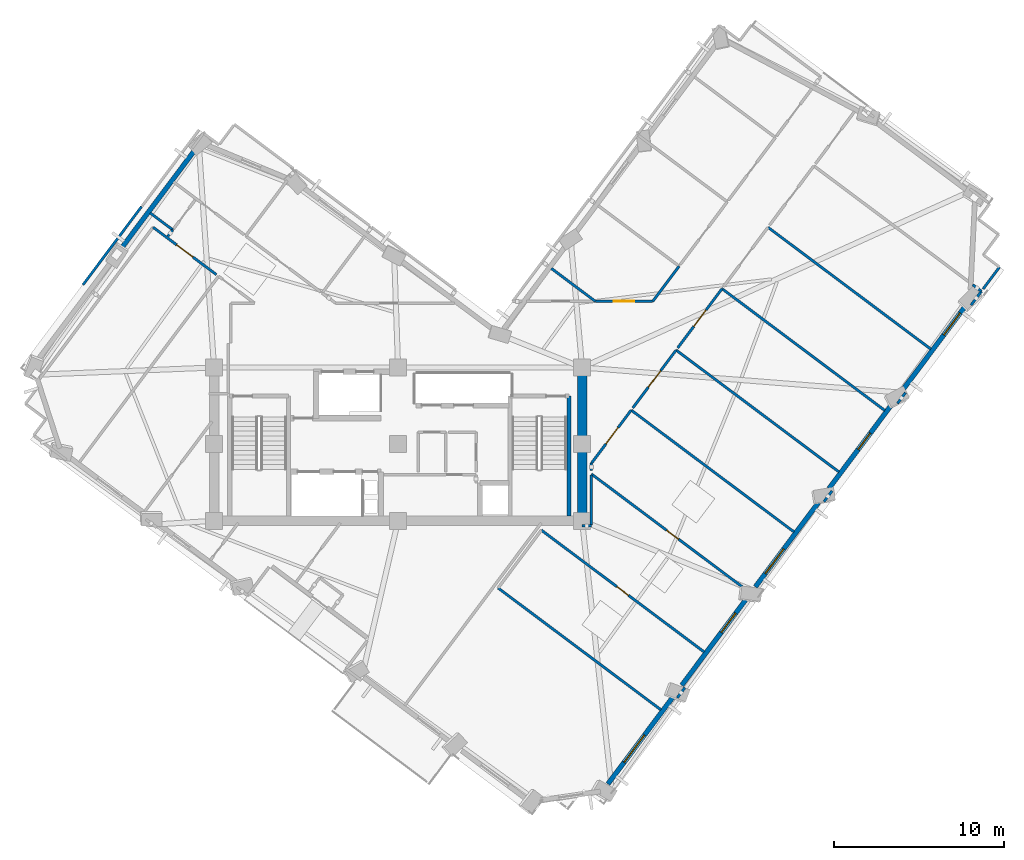
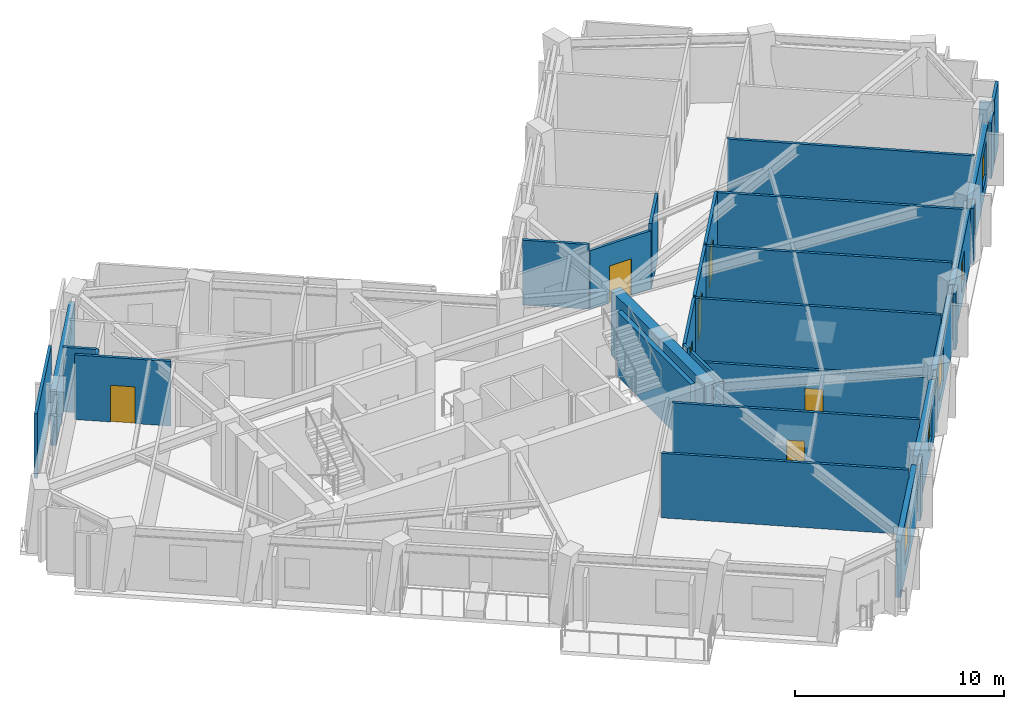
# One storey, part 5 of 12: 34 walls, 7 doors, 5 windows, 12 openings.
"""IFC4 building model written with IfcOpenShell, lengths in metres."""

from ifc_helpers import new_model, si_unit, direction, frame, frame_2d, origin, place, context, subcontext, project, spatial, rectangle, extrude, material, layer, layer_set, type_object, element, fill, save


model = new_model("IFC4")

# Units and contexts
model_context = context("Model", 3, precision=1e-05, world=origin(), true_north=direction((0.0, 1.0)))
body_context = subcontext(model_context, "Body", "Model", "MODEL_VIEW")
ifc_project = project(units=[si_unit("LENGTHUNIT", "METRE"), si_unit("AREAUNIT", "SQUARE_METRE"), si_unit("VOLUMEUNIT", "CUBIC_METRE"), si_unit("PLANEANGLEUNIT", "RADIAN"), si_unit("MASSUNIT", "GRAM", prefix="KILO")], contexts=[model_context])

# Site, building, storey
site_placement = place(None, origin())
site = spatial("IfcSite", under=ifc_project, at=site_placement, CompositionType="ELEMENT")
building_placement = place(site_placement, origin())
building = spatial("IfcBuilding", under=site, at=building_placement, Name="Gaonmaruhae Medical Tower", CompositionType="ELEMENT")
storey_placement = place(building_placement, frame((0.0, 0.0, 251.199951171875)))
storey = spatial("IfcBuildingStorey", under=building, at=storey_placement, Name="L60", CompositionType="ELEMENT", Elevation=251.199951171875)

# Wall
ifc_material_1 = material(Name="Concrete C50/60", Category="concrete")
ifc_layer_1 = layer(ifc_material_1, 0.550048828125)
ifc_layer_set_1 = layer_set([ifc_layer_1], Name="Concrete C50/60")
wall_type_1 = type_object("IfcWallType", Name="CW-550 Mid-High Core Shear Wall", PredefinedType="SHEAR", material=ifc_layer_set_1)
wall_1_placement = place(storey_placement, frame((35.60009765625, 7.800048828125, 0.0), z_axis=(0.0, 0.0, 1.0), x_axis=(0.0, 1.0, 0.0)))
element("IfcWall", 1, at=wall_1_placement, inside=storey, type_object=wall_type_1, Name="L60 Core Shear Wall CSW-E1", PredefinedType="SHEAR", context=body_context, shape_type="SweptSolid", body=[
    extrude(rectangle(XDim=9.0, YDim=0.550048828125, at=frame_2d((4.5, 0.0))), origin(), (0.0, 0.0, 1.0), 3.780029296875),
])

# Wall, opening, window
ifc_material_2 = material(Name="Precast concrete C45/55", Category="concrete")
ifc_layer_2 = layer(ifc_material_2, 0.280029296875)
ifc_layer_set_2 = layer_set([ifc_layer_2], Name="Precast concrete C45/55")
wall_type_2 = type_object("IfcWallType", Name="EW-280 Upper Precast Masonry-Frame Facade Wall", PredefinedType="SOLIDWALL", material=ifc_layer_set_2)
wall_2_placement = place(storey_placement, frame((41.001708984375, -2.44970703125, 0.0), z_axis=(0.0, 0.0, 1.0), x_axis=(-0.599017687672, -0.800735792791, 0.0)))
wall_2 = element("IfcWall", 2, at=wall_2_placement, inside=storey, type_object=wall_type_2, Name="L60 Precast Masonry-Frame Wall S01-S02", PredefinedType="SOLIDWALL", context=body_context, shape_type="SweptSolid", body=[
    extrude(rectangle(XDim=6.48486328125, YDim=0.280029296875, at=frame_2d((3.242431640625, 0.0))), origin(), (0.0, 0.0, 1.0), 3.26513671875),
])
opening_1_placement = place(wall_2_placement, frame((2.9013671875, 0.0, 0.75)))
opening_1 = element("IfcOpeningElement", 3, at=opening_1_placement, cuts=wall_2, Name="Opening WN-02", PredefinedType="OPENING", context=body_context, shape_type="SweptSolid", body=[
    extrude(rectangle(XDim=2.0, YDim=1.949951171875, at=frame_2d((1.0, 0.97509765625))), frame((0.0, 0.14990234375, 0.0), z_axis=(0.0, -1.0, 0.0), x_axis=(1.0, 0.0, 0.0)), (0.0, 0.0, 1.0), 0.300048828125),
])
ifc_material_3 = material(Name="Anodised aluminium and Low-E double glazing", Category="aluminium")
window_type_1 = type_object("IfcWindowType", Name="WN-02 Double-Bed Ward Punched Window 2000x1950", PartitioningType="SINGLE_PANEL", PredefinedType="WINDOW", material=ifc_material_3)
window_1_placement = place(opening_1_placement, origin())
window_1 = element("IfcWindow", 4, at=window_1_placement, inside=storey, type_object=window_type_1, Name="L60 Modular Facade Window S01", OverallHeight=1.949951171875, OverallWidth=2.0, PartitioningType="SINGLE_PANEL", PredefinedType="WINDOW", context=body_context, shape_type="SweptSolid", body=[
    extrude(rectangle(XDim=2.0, YDim=1.949951171875, at=frame_2d((1.0, 0.97509765625))), frame((0.0, 0.030029296875, 0.0), z_axis=(0.0, -1.0, 0.0), x_axis=(1.0, 0.0, 0.0)), (0.0, 0.0, 1.0), 0.06005859375),
])
fill(opening_1, window_1)

wall_3_placement = place(storey_placement, frame((45.3037109375, 3.301025390625, 0.0), z_axis=(0.0, 0.0, 1.0), x_axis=(-0.599010607172, -0.800741089551, 0.0)))
wall_3 = element("IfcWall", 5, at=wall_3_placement, inside=storey, type_object=wall_type_2, Name="L60 Precast Masonry-Frame Wall S02-S03", PredefinedType="SOLIDWALL", context=body_context, shape_type="SweptSolid", body=[
    extrude(rectangle(XDim=6.4384765625, YDim=0.280029296875, at=frame_2d((3.21923828125, 0.0))), origin(), (0.0, 0.0, 1.0), 3.26513671875),
])
opening_2_placement = place(wall_3_placement, frame((1.15771484375, 0.0, 0.75)))
opening_2 = element("IfcOpeningElement", 6, at=opening_2_placement, cuts=wall_3, Name="Opening WN-03", PredefinedType="OPENING", context=body_context, shape_type="SweptSolid", body=[
    extrude(rectangle(XDim=1.39990234375, YDim=1.85009765625, at=frame_2d((0.699951171875, 0.925048828125))), frame((0.0, 0.14990234375, 0.0), z_axis=(0.0, -1.0, 0.0), x_axis=(1.0, 0.0, 0.0)), (0.0, 0.0, 1.0), 0.300048828125),
])
window_type_2 = type_object("IfcWindowType", Name="WN-03 Isolation Ward Punched Window 1400x1850", PartitioningType="SINGLE_PANEL", PredefinedType="WINDOW", material=ifc_material_3)
window_2_placement = place(opening_2_placement, origin())
window_2 = element("IfcWindow", 7, at=window_2_placement, inside=storey, type_object=window_type_2, Name="L60 Modular Facade Window S02", OverallHeight=1.85009765625, OverallWidth=1.39990234375, PartitioningType="SINGLE_PANEL", PredefinedType="WINDOW", context=body_context, shape_type="SweptSolid", body=[
    extrude(rectangle(XDim=1.39990234375, YDim=1.85009765625, at=frame_2d((0.699951171875, 0.925048828125))), frame((0.0, 0.030029296875, 0.0), z_axis=(0.0, -1.0, 0.0), x_axis=(1.0, 0.0, 0.0)), (0.0, 0.0, 1.0), 0.06005859375),
])
fill(opening_2, window_2)

wall_4_placement = place(storey_placement, frame((49.61181640625, 9.059814453125, 0.0), z_axis=(0.0, 0.0, 1.0), x_axis=(-0.599018948846, -0.800734849325, 0.0)))
wall_4 = element("IfcWall", 8, at=wall_4_placement, inside=storey, type_object=wall_type_2, Name="L60 Precast Masonry-Frame Wall S03-S04", PredefinedType="SOLIDWALL", context=body_context, shape_type="SweptSolid", body=[
    extrude(rectangle(XDim=6.41357421875, YDim=0.280029296875, at=frame_2d((3.206787109375, 0.0))), origin(), (0.0, 0.0, 1.0), 3.26513671875),
])
opening_3_placement = place(wall_4_placement, frame((3.645751953125, 0.0, 0.75)))
opening_3 = element("IfcOpeningElement", 9, at=opening_3_placement, cuts=wall_4, Name="Opening WN-04", PredefinedType="OPENING", context=body_context, shape_type="SweptSolid", body=[
    extrude(rectangle(XDim=1.800048828125, YDim=2.050048828125, at=frame_2d((0.89990234375, 1.02490234375))), frame((0.0, 0.14990234375, 0.0), z_axis=(0.0, -1.0, 0.0), x_axis=(1.0, 0.0, 0.0)), (0.0, 0.0, 1.0), 0.300048828125),
])
window_type_3 = type_object("IfcWindowType", Name="WN-04 Clinic & Consult Punched Window 1800x2050", PartitioningType="SINGLE_PANEL", PredefinedType="WINDOW", material=ifc_material_3)
window_3_placement = place(opening_3_placement, origin())
window_3 = element("IfcWindow", 10, at=window_3_placement, inside=storey, type_object=window_type_3, Name="L60 Modular Facade Window S03", OverallHeight=2.050048828125, OverallWidth=1.800048828125, PartitioningType="SINGLE_PANEL", PredefinedType="WINDOW", context=body_context, shape_type="SweptSolid", body=[
    extrude(rectangle(XDim=1.800048828125, YDim=2.050048828125, at=frame_2d((0.89990234375, 1.02490234375))), frame((0.0, 0.030029296875, 0.0), z_axis=(0.0, -1.0, 0.0), x_axis=(1.0, 0.0, 0.0)), (0.0, 0.0, 1.0), 0.06005859375),
])
fill(opening_3, window_3)

wall_5_placement = place(storey_placement, frame((53.92529296875, 14.825439453125, 0.0), z_axis=(0.0, 0.0, 1.0), x_axis=(-0.599030136661, -0.800726479749, 0.0)))
wall_5 = element("IfcWall", 11, at=wall_5_placement, inside=storey, type_object=wall_type_2, Name="L60 Precast Masonry-Frame Wall S04-S05", PredefinedType="SOLIDWALL", context=body_context, shape_type="SweptSolid", body=[
    extrude(rectangle(XDim=6.40673828125, YDim=0.280029296875, at=frame_2d((3.203369140625, 0.0))), origin(), (0.0, 0.0, 1.0), 3.26513671875),
])
opening_4_placement = place(wall_5_placement, frame((2.343505859375, 0.0, 0.75)))
opening_4 = element("IfcOpeningElement", 12, at=opening_4_placement, cuts=wall_5, Name="Opening WN-05", PredefinedType="OPENING", context=body_context, shape_type="SweptSolid", body=[
    extrude(rectangle(XDim=1.199951171875, YDim=1.75, at=frame_2d((0.60009765625, 0.875))), frame((0.0, 0.14990234375, 0.0), z_axis=(0.0, -1.0, 0.0), x_axis=(1.0, 0.0, 0.0)), (0.0, 0.0, 1.0), 0.300048828125),
])
window_type_4 = type_object("IfcWindowType", Name="WN-05 Support & Staff Punched Window 1200x1750", PartitioningType="SINGLE_PANEL", PredefinedType="WINDOW", material=ifc_material_3)
window_4_placement = place(opening_4_placement, origin())
window_4 = element("IfcWindow", 13, at=window_4_placement, inside=storey, type_object=window_type_4, Name="L60 Modular Facade Window S04", OverallHeight=1.75, OverallWidth=1.199951171875, PartitioningType="SINGLE_PANEL", PredefinedType="WINDOW", context=body_context, shape_type="SweptSolid", body=[
    extrude(rectangle(XDim=1.199951171875, YDim=1.75, at=frame_2d((0.60009765625, 0.875))), frame((0.0, 0.030029296875, 0.0), z_axis=(0.0, -1.0, 0.0), x_axis=(1.0, 0.0, 0.0)), (0.0, 0.0, 1.0), 0.06005859375),
])
fill(opening_4, window_4)

wall_6_placement = place(storey_placement, frame((58.244140625, 20.5986328125, 0.0), z_axis=(0.0, 0.0, 1.0), x_axis=(-0.599019695529, -0.800734290741, 0.0)))
wall_6 = element("IfcWall", 14, at=wall_6_placement, inside=storey, type_object=wall_type_2, Name="L60 Precast Masonry-Frame Wall S05-S06", PredefinedType="SOLIDWALL", context=body_context, shape_type="SweptSolid", body=[
    extrude(rectangle(XDim=6.41845703125, YDim=0.280029296875, at=frame_2d((3.209228515625, 0.0))), origin(), (0.0, 0.0, 1.0), 3.26513671875),
])
opening_5_placement = place(wall_6_placement, frame((0.760009765625, 0.0, 0.75)))
opening_5 = element("IfcOpeningElement", 15, at=opening_5_placement, cuts=wall_6, Name="Opening WN-01", PredefinedType="OPENING", context=body_context, shape_type="SweptSolid", body=[
    extrude(rectangle(XDim=1.60009765625, YDim=1.949951171875, at=frame_2d((0.800048828125, 0.97509765625))), frame((0.0, 0.14990234375, 0.0), z_axis=(0.0, -1.0, 0.0), x_axis=(1.0, 0.0, 0.0)), (0.0, 0.0, 1.0), 0.300048828125),
])
window_type_5 = type_object("IfcWindowType", Name="WN-01 Ward Punched Acoustic Window 1600x1950", PartitioningType="SINGLE_PANEL", PredefinedType="WINDOW", material=ifc_material_3)
window_5_placement = place(opening_5_placement, origin())
window_5 = element("IfcWindow", 16, at=window_5_placement, inside=storey, type_object=window_type_5, Name="L60 Modular Facade Window S05", OverallHeight=1.949951171875, OverallWidth=1.60009765625, PartitioningType="SINGLE_PANEL", PredefinedType="WINDOW", context=body_context, shape_type="SweptSolid", body=[
    extrude(rectangle(XDim=1.60009765625, YDim=1.949951171875, at=frame_2d((0.800048828125, 0.97509765625))), frame((0.0, 0.030029296875, 0.0), z_axis=(0.0, -1.0, 0.0), x_axis=(1.0, 0.0, 0.0)), (0.0, 0.0, 1.0), 0.06005859375),
])
fill(opening_5, window_5)

# Wall
wall_7_placement = place(storey_placement, frame((8.41943359375, 23.610107421875, 0.0), z_axis=(0.0, 0.0, 1.0), x_axis=(0.599043256436, 0.800716664569, 0.0)))
element("IfcWall", 17, at=wall_7_placement, inside=storey, type_object=wall_type_2, Name="L60 Precast Masonry-Frame Wall N01-N02", PredefinedType="SOLIDWALL", context=body_context, shape_type="SweptSolid", body=[
    extrude(rectangle(XDim=7.43408203125, YDim=0.280029296875, at=frame_2d((3.717041015625, 0.0))), origin(), (0.0, 0.0, 1.0), 3.26513671875),
])

# Wall, opening, door
ifc_material_4 = material(Name="Gypsum board partition", Category="gypsum")
ifc_layer_3 = layer(ifc_material_4, 0.14990234375)
ifc_layer_set_3 = layer_set([ifc_layer_3], Name="Gypsum board partition")
wall_type_3 = type_object("IfcWallType", Name="PW-150 Rated Clinical Corridor Partition", PredefinedType="PARTITIONING", material=ifc_layer_set_3)
wall_8_placement = place(storey_placement, frame((33.2099609375, 7.251953125, 0.0), z_axis=(0.0, 0.0, 1.0), x_axis=(0.800721064426, -0.599037375282, 0.0)))
wall_8 = element("IfcWall", 18, at=wall_8_placement, inside=storey, type_object=wall_type_3, Name="L60 Interior Partition L60-SUP03-9", PredefinedType="PARTITIONING", context=body_context, shape_type="SweptSolid", body=[
    extrude(rectangle(XDim=11.935546875, YDim=0.14990234375, at=frame_2d((5.9677734375, 0.0))), origin(), (0.0, 0.0, 1.0), 3.780029296875),
])
opening_6_placement = place(wall_8_placement, frame((5.537841796875, 0.0, 0.0)))
opening_6 = element("IfcOpeningElement", 19, at=opening_6_placement, cuts=wall_8, Name="Opening AD-01", PredefinedType="OPENING", context=body_context, shape_type="SweptSolid", body=[
    extrude(rectangle(XDim=0.860107421875, YDim=2.06005859375, at=frame_2d((0.43017578125, 1.030029296875))), frame((0.0, 0.0849609375, 0.0), z_axis=(0.0, -1.0, 0.0), x_axis=(1.0, 0.0, 0.0)), (0.0, 0.0, 1.0), 0.169921875),
])
ifc_material_5 = material(Name="Powder-coated steel access door", Category="steel")
door_type_1 = type_object("IfcDoorType", Name="AD-01 Riser & Closet Access Fire Door 860x2060", OperationType="NOTDEFINED", PredefinedType="DOOR", material=ifc_material_5)
door_1_placement = place(opening_6_placement, origin())
door_1 = element("IfcDoor", 20, at=door_1_placement, inside=storey, type_object=door_type_1, Name="L60 Clinical Biomedical Charting Office Sliding Door", OperationType="SLIDING_TO_LEFT", OverallHeight=2.06005859375, OverallWidth=0.860107421875, PredefinedType="DOOR", context=body_context, shape_type="SweptSolid", body=[
    extrude(rectangle(XDim=0.860107421875, YDim=2.06005859375, at=frame_2d((0.43017578125, 1.030029296875))), frame((0.0, 0.02490234375, 0.0), z_axis=(0.0, -1.0, 0.0), x_axis=(1.0, 0.0, 0.0)), (0.0, 0.0, 1.0), 0.050048828125),
])
fill(opening_6, door_1)

# Walls
wall_9_placement = place(storey_placement, frame((41.631103515625, -1.991943359375, 0.0), z_axis=(0.0, 0.0, 1.0), x_axis=(-0.598370716563, -0.801219374179, 0.0)))
element("IfcWall", 21, at=wall_9_placement, inside=storey, type_object=wall_type_3, Name="L60 Interior Partition L60-SUP03-10", PredefinedType="PARTITIONING", context=body_context, shape_type="SweptSolid", body=[
    extrude(rectangle(XDim=0.743896484375, YDim=0.14990234375, at=frame_2d((0.3720703125, 0.0))), origin(), (0.0, 0.0, 1.0), 3.26513671875),
])
wall_10_placement = place(storey_placement, frame((40.22705078125, -3.29296875, 0.0), z_axis=(0.0, 0.0, 1.0), x_axis=(-0.800730950492, 0.599024160551, 0.0)))
element("IfcWall", 22, at=wall_10_placement, inside=storey, type_object=wall_type_3, Name="L60 Interior Partition L60-SUP03-11", PredefinedType="PARTITIONING", context=body_context, shape_type="SweptSolid", body=[
    extrude(rectangle(XDim=11.934326171875, YDim=0.14990234375, at=frame_2d((5.96728515625, 0.0))), origin(), (0.0, 0.0, 1.0), 3.780029296875),
])

# Wall, opening, door
wall_11_placement = place(storey_placement, frame((36.14990234375, 10.547119140625, 0.0), z_axis=(0.0, 0.0, 1.0), x_axis=(0.800750249999, -0.598998361539, 0.0)))
wall_11 = element("IfcWall", 23, at=wall_11_placement, inside=storey, type_object=wall_type_3, Name="L60 Interior Partition L60-SUP04-12", PredefinedType="PARTITIONING", context=body_context, shape_type="SweptSolid", body=[
    extrude(rectangle(XDim=11.900146484375, YDim=0.14990234375, at=frame_2d((5.9501953125, 0.0))), origin(), (0.0, 0.0, 1.0), 3.1650390625),
])
opening_7_placement = place(wall_11_placement, frame((5.52001953125, 0.0, 0.0)))
opening_7 = element("IfcOpeningElement", 24, at=opening_7_placement, cuts=wall_11, Name="Opening AD-01", PredefinedType="OPENING", context=body_context, shape_type="SweptSolid", body=[
    extrude(rectangle(XDim=0.860107421875, YDim=2.06005859375, at=frame_2d((0.43017578125, 1.030029296875))), frame((0.0, 0.0849609375, 0.0), z_axis=(0.0, -1.0, 0.0), x_axis=(1.0, 0.0, 0.0)), (0.0, 0.0, 1.0), 0.169921875),
])
door_2_placement = place(opening_7_placement, origin())
door_2 = element("IfcDoor", 25, at=door_2_placement, inside=storey, type_object=door_type_1, Name="L60 Clinical Biomedical Charting Office Sliding Door", OperationType="SLIDING_TO_LEFT", OverallHeight=2.06005859375, OverallWidth=0.860107421875, PredefinedType="DOOR", context=body_context, shape_type="SweptSolid", body=[
    extrude(rectangle(XDim=0.860107421875, YDim=2.06005859375, at=frame_2d((0.43017578125, 1.030029296875))), frame((0.0, 0.02490234375, 0.0), z_axis=(0.0, -1.0, 0.0), x_axis=(1.0, 0.0, 0.0)), (0.0, 0.0, 1.0), 0.050048828125),
])
fill(opening_7, door_2)

# Walls
wall_12_placement = place(storey_placement, frame((35.60009765625, 7.5, 0.0), z_axis=(0.0, 0.0, 1.0), x_axis=(1.0, 0.0, 0.0)))
element("IfcWall", 26, at=wall_12_placement, inside=storey, type_object=wall_type_3, Name="L60 Interior Partition L60-SUP04-13", PredefinedType="PARTITIONING", context=body_context, shape_type="SweptSolid", body=[
    extrude(rectangle(XDim=0.5498046875, YDim=0.14990234375, at=frame_2d((0.27490234375, 0.0))), origin(), (0.0, 0.0, 1.0), 3.780029296875),
])
wall_13_placement = place(storey_placement, frame((36.14990234375, 7.550048828125, 0.0), z_axis=(0.0, 0.0, 1.0), x_axis=(0.0, 1.0, 0.0)))
element("IfcWall", 27, at=wall_13_placement, inside=storey, type_object=wall_type_3, Name="L60 Interior Partition L60-SUP04-14", PredefinedType="PARTITIONING", context=body_context, shape_type="SweptSolid", body=[
    extrude(rectangle(XDim=2.93505859375, YDim=0.14990234375, at=frame_2d((1.467529296875, 0.0))), origin(), (0.0, 0.0, 1.0), 3.780029296875),
])
wall_14_placement = place(storey_placement, frame((38.48193359375, 14.298095703125, 0.0), z_axis=(0.0, 0.0, 1.0), x_axis=(0.800750498609, -0.598998029193, 0.0)))
element("IfcWall", 28, at=wall_14_placement, inside=storey, type_object=wall_type_3, Name="L60 Interior Partition L60-SUP05-15", PredefinedType="PARTITIONING", context=body_context, shape_type="SweptSolid", body=[
    extrude(rectangle(XDim=11.935302734375, YDim=0.14990234375, at=frame_2d((5.9677734375, 0.0))), origin(), (0.0, 0.0, 1.0), 3.780029296875),
])
wall_15_placement = place(storey_placement, frame((36.14990234375, 10.7470703125, 0.0), z_axis=(0.0, 0.0, 1.0), x_axis=(0.0, 1.0, 0.0)))
element("IfcWall", 29, at=wall_15_placement, inside=storey, type_object=wall_type_3, Name="L60 Interior Partition L60-SUP05-16", PredefinedType="PARTITIONING", context=body_context, shape_type="SweptSolid", body=[
    extrude(rectangle(XDim=0.433837890625, YDim=0.14990234375, at=frame_2d((0.216796875, 0.0))), origin(), (0.0, 0.0, 1.0), 3.780029296875),
])

# Wall, opening, door
wall_16_placement = place(storey_placement, frame((36.14990234375, 11.180908203125, 0.0), z_axis=(0.0, 0.0, 1.0), x_axis=(0.599036290611, 0.800721875892, 0.0)))
wall_16 = element("IfcWall", 30, at=wall_16_placement, inside=storey, type_object=wall_type_3, Name="L60 Interior Partition L60-SUP05-17", PredefinedType="PARTITIONING", context=body_context, shape_type="SweptSolid", body=[
    extrude(rectangle(XDim=3.89306640625, YDim=0.14990234375, at=frame_2d((1.946533203125, 0.0))), origin(), (0.0, 0.0, 1.0), 3.780029296875),
])
opening_8_placement = place(wall_16_placement, frame((1.410400390625, 0.0, 0.0)))
opening_8 = element("IfcOpeningElement", 31, at=opening_8_placement, cuts=wall_16, Name="Opening CD-02", PredefinedType="OPENING", context=body_context, shape_type="SweptSolid", body=[
    extrude(rectangle(XDim=1.199951171875, YDim=2.14990234375, at=frame_2d((0.60009765625, 1.074951171875))), frame((0.0, 0.0849609375, 0.0), z_axis=(0.0, -1.0, 0.0), x_axis=(1.0, 0.0, 0.0)), (0.0, 0.0, 1.0), 0.169921875),
])
ifc_material_6 = material(Name="Antimicrobial laminate timber fire door", Category="wood")
door_type_2 = type_object("IfcDoorType", Name="CD-02 Clinical Treatment & Procedure Door 1200x2150", OperationType="NOTDEFINED", PredefinedType="DOOR", material=ifc_material_6)
door_3_placement = place(opening_8_placement, origin())
door_3 = element("IfcDoor", 32, at=door_3_placement, inside=storey, type_object=door_type_2, Name="L60 Clinical Biomedical Charting Office Door", OperationType="SINGLE_SWING_RIGHT", OverallHeight=2.14990234375, OverallWidth=1.199951171875, PredefinedType="DOOR", context=body_context, shape_type="SweptSolid", body=[
    extrude(rectangle(XDim=1.199951171875, YDim=2.14990234375, at=frame_2d((0.60009765625, 1.074951171875))), frame((0.0, 0.02490234375, 0.0), z_axis=(0.0, -1.0, 0.0), x_axis=(1.0, 0.0, 0.0)), (0.0, 0.0, 1.0), 0.050048828125),
])
fill(opening_8, door_3)

wall_17_placement = place(storey_placement, frame((38.577880859375, 14.426025390625, 0.0), z_axis=(0.0, 0.0, 1.0), x_axis=(0.599059884296, 0.800704224435, 0.0)))
wall_17 = element("IfcWall", 33, at=wall_17_placement, inside=storey, type_object=wall_type_3, Name="L60 Interior Partition L60-SUP06-18", PredefinedType="PARTITIONING", context=body_context, shape_type="SweptSolid", body=[
    extrude(rectangle(XDim=4.239990234375, YDim=0.14990234375, at=frame_2d((2.1201171875, 0.0))), origin(), (0.0, 0.0, 1.0), 3.780029296875),
])
opening_9_placement = place(wall_17_placement, frame((1.52001953125, 0.0, 0.0)))
opening_9 = element("IfcOpeningElement", 34, at=opening_9_placement, cuts=wall_17, Name="Opening CD-02", PredefinedType="OPENING", context=body_context, shape_type="SweptSolid", body=[
    extrude(rectangle(XDim=1.199951171875, YDim=2.14990234375, at=frame_2d((0.60009765625, 1.074951171875))), frame((0.0, 0.0849609375, 0.0), z_axis=(0.0, -1.0, 0.0), x_axis=(1.0, 0.0, 0.0)), (0.0, 0.0, 1.0), 0.169921875),
])
door_4_placement = place(opening_9_placement, origin())
door_4 = element("IfcDoor", 35, at=door_4_placement, inside=storey, type_object=door_type_2, Name="L60 Clinical Biomedical Charting Office Door", OperationType="SINGLE_SWING_RIGHT", OverallHeight=2.14990234375, OverallWidth=1.199951171875, PredefinedType="DOOR", context=body_context, shape_type="SweptSolid", body=[
    extrude(rectangle(XDim=1.199951171875, YDim=2.14990234375, at=frame_2d((0.60009765625, 1.074951171875))), frame((0.0, 0.02490234375, 0.0), z_axis=(0.0, -1.0, 0.0), x_axis=(1.0, 0.0, 0.0)), (0.0, 0.0, 1.0), 0.050048828125),
])
fill(opening_9, door_4)

# Walls
wall_18_placement = place(storey_placement, frame((41.117919921875, 17.821044921875, 0.0), z_axis=(0.0, 0.0, 1.0), x_axis=(0.800730950492, -0.599024160551, 0.0)))
element("IfcWall", 36, at=wall_18_placement, inside=storey, type_object=wall_type_3, Name="L60 Interior Partition L60-SUP06-19", PredefinedType="PARTITIONING", context=body_context, shape_type="SweptSolid", body=[
    extrude(rectangle(XDim=11.934326171875, YDim=0.14990234375, at=frame_2d((5.96728515625, 0.0))), origin(), (0.0, 0.0, 1.0), 3.780029296875),
])
wall_19_placement = place(storey_placement, frame((50.27197265625, 9.556884765625, 0.0), z_axis=(0.0, 0.0, 1.0), x_axis=(-0.6, -0.8, 0.0)))
element("IfcWall", 37, at=wall_19_placement, inside=storey, type_object=wall_type_3, Name="L60 Interior Partition L60-SUP06-20", PredefinedType="PARTITIONING", context=body_context, shape_type="SweptSolid", body=[
    extrude(rectangle(XDim=0.79345703125, YDim=0.14990234375, at=frame_2d((0.396728515625, 0.0))), origin(), (0.0, 0.0, 1.0), 3.26513671875),
])

# Wall, opening, door
wall_20_placement = place(storey_placement, frame((41.212890625, 17.948974609375, 0.0), z_axis=(0.0, 0.0, 1.0), x_axis=(0.599081575716, 0.800687995187, 0.0)))
wall_20 = element("IfcWall", 38, at=wall_20_placement, inside=storey, type_object=wall_type_3, Name="L60 Interior Partition L60-SUP07-21", PredefinedType="PARTITIONING", context=body_context, shape_type="SweptSolid", body=[
    extrude(rectangle(XDim=4.340087890625, YDim=0.14990234375, at=frame_2d((2.169921875, 0.0))), origin(), (0.0, 0.0, 1.0), 3.780029296875),
])
opening_10_placement = place(wall_20_placement, frame((1.570068359375, 0.0, 0.0)))
opening_10 = element("IfcOpeningElement", 39, at=opening_10_placement, cuts=wall_20, Name="Opening CD-02", PredefinedType="OPENING", context=body_context, shape_type="SweptSolid", body=[
    extrude(rectangle(XDim=1.199951171875, YDim=2.14990234375, at=frame_2d((0.60009765625, 1.074951171875))), frame((0.0, 0.0849609375, 0.0), z_axis=(0.0, -1.0, 0.0), x_axis=(1.0, 0.0, 0.0)), (0.0, 0.0, 1.0), 0.169921875),
])
door_5_placement = place(opening_10_placement, origin())
door_5 = element("IfcDoor", 40, at=door_5_placement, inside=storey, type_object=door_type_2, Name="L60 Clinical Biomedical Charting Office Door", OperationType="SINGLE_SWING_LEFT", OverallHeight=2.14990234375, OverallWidth=1.199951171875, PredefinedType="DOOR", context=body_context, shape_type="SweptSolid", body=[
    extrude(rectangle(XDim=1.199951171875, YDim=2.14990234375, at=frame_2d((0.60009765625, 1.074951171875))), frame((0.0, 0.02490234375, 0.0), z_axis=(0.0, -1.0, 0.0), x_axis=(1.0, 0.0, 0.0)), (0.0, 0.0, 1.0), 0.050048828125),
])
fill(opening_10, door_5)

# Walls
wall_21_placement = place(storey_placement, frame((43.81298828125, 21.424072265625, 0.0), z_axis=(0.0, 0.0, 1.0), x_axis=(0.800750498609, -0.598998029193, 0.0)))
element("IfcWall", 41, at=wall_21_placement, inside=storey, type_object=wall_type_3, Name="L60 Interior Partition L60-SUP07-22", PredefinedType="PARTITIONING", context=body_context, shape_type="SweptSolid", body=[
    extrude(rectangle(XDim=11.935302734375, YDim=0.14990234375, at=frame_2d((5.9677734375, 0.0))), origin(), (0.0, 0.0, 1.0), 3.780029296875),
])
wall_22_placement = place(storey_placement, frame((46.509033203125, 25.028076171875, 0.0), z_axis=(0.0, 0.0, 1.0), x_axis=(0.800743159028, -0.599007840741, 0.0)))
element("IfcWall", 42, at=wall_22_placement, inside=storey, type_object=wall_type_3, Name="L60 Interior Partition L60-SUP08-24", PredefinedType="PARTITIONING", context=body_context, shape_type="SweptSolid", body=[
    extrude(rectangle(XDim=11.93505859375, YDim=0.14990234375, at=frame_2d((5.967529296875, 0.0))), origin(), (0.0, 0.0, 1.0), 3.780029296875),
])
wall_23_placement = place(storey_placement, frame((54.5830078125, 15.322021484375, 0.0), z_axis=(0.0, 0.0, 1.0), x_axis=(-0.598864575718, -0.800850310576, 0.0)))
element("IfcWall", 43, at=wall_23_placement, inside=storey, type_object=wall_type_3, Name="L60 Interior Partition L60-SUP08-25", PredefinedType="PARTITIONING", context=body_context, shape_type="SweptSolid", body=[
    extrude(rectangle(XDim=0.791748046875, YDim=0.14990234375, at=frame_2d((0.39599609375, 0.0))), origin(), (0.0, 0.0, 1.0), 3.26513671875),
])
wall_24_placement = place(storey_placement, frame((58.52490234375, 21.657958984375, 0.0), z_axis=(0.0, 0.0, 1.0), x_axis=(0.800823734326, -0.598900113993, 0.0)))
element("IfcWall", 44, at=wall_24_placement, inside=storey, type_object=wall_type_3, Name="L60 Interior Partition L60-SUP09-28", PredefinedType="PARTITIONING", context=body_context, shape_type="SweptSolid", body=[
    extrude(rectangle(XDim=0.6396484375, YDim=0.14990234375, at=frame_2d((0.31982421875, 0.0))), origin(), (0.0, 0.0, 1.0), 3.780029296875),
])
wall_25_placement = place(storey_placement, frame((59.037109375, 21.27490234375, 0.0), z_axis=(0.0, 0.0, 1.0), x_axis=(-0.599154365117, -0.800633528377, 0.0)))
element("IfcWall", 45, at=wall_25_placement, inside=storey, type_object=wall_type_3, Name="L60 Interior Partition L60-SUP09-29", PredefinedType="PARTITIONING", context=body_context, shape_type="SweptSolid", body=[
    extrude(rectangle(XDim=1.0166015625, YDim=0.14990234375, at=frame_2d((0.50830078125, 0.0))), origin(), (0.0, 0.0, 1.0), 3.26513671875),
])
wall_26_placement = place(storey_placement, frame((60.10693359375, 22.7041015625, 0.0), z_axis=(0.0, 0.0, 1.0), x_axis=(-0.599254614929, -0.800558496605, 0.0)))
element("IfcWall", 46, at=wall_26_placement, inside=storey, type_object=wall_type_3, Name="L60 Interior Partition L60-SUP10-32", PredefinedType="PARTITIONING", context=body_context, shape_type="SweptSolid", body=[
    extrude(rectangle(XDim=1.625244140625, YDim=0.14990234375, at=frame_2d((0.8125, 0.0))), origin(), (0.0, 0.0, 1.0), 3.780029296875),
])

# Wall, opening, door
wall_27_placement = place(storey_placement, frame((10.419921875, 25.031982421875, 0.0), z_axis=(0.0, 0.0, 1.0), x_axis=(0.800649857495, -0.599132544345, 0.0)))
wall_27 = element("IfcWall", 47, at=wall_27_placement, inside=storey, type_object=wall_type_3, Name="L60 Interior Partition L60-WOF16-59", PredefinedType="PARTITIONING", context=body_context, shape_type="SweptSolid", body=[
    extrude(rectangle(XDim=4.64013671875, YDim=0.14990234375, at=frame_2d((2.320068359375, 0.0))), origin(), (0.0, 0.0, 1.0), 3.780029296875),
])
opening_11_placement = place(wall_27_placement, frame((1.719970703125, 0.0, 0.0)))
opening_11 = element("IfcOpeningElement", 48, at=opening_11_placement, cuts=wall_27, Name="Opening CD-02", PredefinedType="OPENING", context=body_context, shape_type="SweptSolid", body=[
    extrude(rectangle(XDim=1.199951171875, YDim=2.14990234375, at=frame_2d((0.60009765625, 1.074951171875))), frame((0.0, 0.0849609375, 0.0), z_axis=(0.0, -1.0, 0.0), x_axis=(1.0, 0.0, 0.0)), (0.0, 0.0, 1.0), 0.169921875),
])
door_6_placement = place(opening_11_placement, origin())
door_6 = element("IfcDoor", 49, at=door_6_placement, inside=storey, type_object=door_type_2, Name="L60 Ward Physician Reporting Office Door", OperationType="SINGLE_SWING_RIGHT", OverallHeight=2.14990234375, OverallWidth=1.199951171875, PredefinedType="DOOR", context=body_context, shape_type="SweptSolid", body=[
    extrude(rectangle(XDim=1.199951171875, YDim=2.14990234375, at=frame_2d((0.60009765625, 1.074951171875))), frame((0.0, 0.02490234375, 0.0), z_axis=(0.0, -1.0, 0.0), x_axis=(1.0, 0.0, 0.0)), (0.0, 0.0, 1.0), 0.050048828125),
])
fill(opening_11, door_6)

# Wall
wall_28_placement = place(storey_placement, frame((41.2939453125, 22.7470703125, 0.0), z_axis=(0.0, 0.0, 1.0), x_axis=(-0.599137256843, -0.800646331074, 0.0)))
element("IfcWall", 50, at=wall_28_placement, inside=storey, type_object=wall_type_3, Name="L60 Interior Partition L60-IE03-66", PredefinedType="PARTITIONING", context=body_context, shape_type="SweptSolid", body=[
    extrude(rectangle(XDim=2.581787109375, YDim=0.14990234375, at=frame_2d((1.291015625, 0.0))), origin(), (0.0, 0.0, 1.0), 3.780029296875),
])

# Wall, opening, door
wall_29_placement = place(storey_placement, frame((39.7470703125, 20.679931640625, 0.0), z_axis=(0.0, 0.0, 1.0), x_axis=(-1.0, 0.0, 0.0)))
wall_29 = element("IfcWall", 51, at=wall_29_placement, inside=storey, type_object=wall_type_3, Name="L60 Interior Partition L60-IE03-67", PredefinedType="PARTITIONING", context=body_context, shape_type="SweptSolid", body=[
    extrude(rectangle(XDim=3.364990234375, YDim=0.14990234375, at=frame_2d((1.6826171875, 0.0))), origin(), (0.0, 0.0, 1.0), 3.4150390625),
])
opening_12_placement = place(wall_29_placement, frame((1.08251953125, 0.0, 0.0)))
opening_12 = element("IfcOpeningElement", 52, at=opening_12_placement, cuts=wall_29, Name="Opening CD-02", PredefinedType="OPENING", context=body_context, shape_type="SweptSolid", body=[
    extrude(rectangle(XDim=1.199951171875, YDim=2.14990234375, at=frame_2d((0.60009765625, 1.074951171875))), frame((0.0, 0.0849609375, 0.0), z_axis=(0.0, -1.0, 0.0), x_axis=(1.0, 0.0, 0.0)), (0.0, 0.0, 1.0), 0.169921875),
])
door_7_placement = place(opening_12_placement, origin())
door_7 = element("IfcDoor", 53, at=door_7_placement, inside=storey, type_object=door_type_2, Name="L60 Clean Medication Preparation Room Door", OperationType="SINGLE_SWING_LEFT", OverallHeight=2.14990234375, OverallWidth=1.199951171875, PredefinedType="DOOR", context=body_context, shape_type="SweptSolid", body=[
    extrude(rectangle(XDim=1.199951171875, YDim=2.14990234375, at=frame_2d((0.60009765625, 1.074951171875))), frame((0.0, 0.02490234375, 0.0), z_axis=(0.0, -1.0, 0.0), x_axis=(1.0, 0.0, 0.0)), (0.0, 0.0, 1.0), 0.050048828125),
])
fill(opening_12, door_7)

# Walls
wall_30_placement = place(storey_placement, frame((36.382080078125, 20.679931640625, 0.0), z_axis=(0.0, 0.0, 1.0), x_axis=(-0.800643257671, 0.599141363908, 0.0)))
element("IfcWall", 54, at=wall_30_placement, inside=storey, type_object=wall_type_3, Name="L60 Interior Partition L60-IE03-68", PredefinedType="PARTITIONING", context=body_context, shape_type="SweptSolid", body=[
    extrude(rectangle(XDim=3.2314453125, YDim=0.14990234375, at=frame_2d((1.61572265625, 0.0))), origin(), (0.0, 0.0, 1.0), 3.780029296875),
])
wall_31_placement = place(storey_placement, frame((6.305908203125, 21.653076171875, 0.0), z_axis=(0.0, 0.0, 1.0), x_axis=(0.598999072207, 0.800749718386, 0.0)))
element("IfcWall", 55, at=wall_31_placement, inside=storey, type_object=wall_type_3, Name="L60 Interior Partition L60-RM02-99", PredefinedType="PARTITIONING", context=body_context, shape_type="SweptSolid", body=[
    extrude(rectangle(XDim=5.739501953125, YDim=0.14990234375, at=frame_2d((2.86962890625, 0.0))), origin(), (0.0, 0.0, 1.0), 3.780029296875),
])
wall_32_placement = place(storey_placement, frame((10.2529296875, 25.867919921875, 0.0), z_axis=(0.0, 0.0, 1.0), x_axis=(0.800796106591, -0.598937054847, 0.0)))
element("IfcWall", 56, at=wall_32_placement, inside=storey, type_object=wall_type_3, Name="L60 Interior Partition L60-RM02-100", PredefinedType="PARTITIONING", context=body_context, shape_type="SweptSolid", body=[
    extrude(rectangle(XDim=1.654541015625, YDim=0.14990234375, at=frame_2d((0.8271484375, 0.0))), origin(), (0.0, 0.0, 1.0), 3.780029296875),
])
wall_33_placement = place(storey_placement, frame((11.577880859375, 24.876953125, 0.0), z_axis=(0.0, 0.0, 1.0), x_axis=(-0.59901402037, -0.800738536228, 0.0)))
element("IfcWall", 57, at=wall_33_placement, inside=storey, type_object=wall_type_3, Name="L60 Interior Partition L60-RM02-101", PredefinedType="PARTITIONING", context=body_context, shape_type="SweptSolid", body=[
    extrude(rectangle(XDim=0.4755859375, YDim=0.14990234375, at=frame_2d((0.23779296875, 0.0))), origin(), (0.0, 0.0, 1.0), 3.780029296875),
])
ifc_layer_4 = layer(ifc_material_1, 0.239990234375)
ifc_layer_set_4 = layer_set([ifc_layer_4], Name="Concrete C50/60")
wall_type_4 = type_object("IfcWallType", Name="SW-240 Dogleg Stair Tight Shaft Wall", PredefinedType="SOLIDWALL", material=ifc_layer_set_4)
wall_34_placement = place(storey_placement, frame((34.830078125, 15.1201171875, 0.0), z_axis=(0.0, 0.0, 1.0), x_axis=(0.0, -1.0, 0.0)))
element("IfcWall", 58, at=wall_34_placement, inside=storey, type_object=wall_type_4, Name="L60 ST-02 Stair Shaft Wall SHW-ST-02-E", PredefinedType="SOLIDWALL", context=body_context, shape_type="SweptSolid", body=[
    extrude(rectangle(XDim=7.045166015625, YDim=0.239990234375, at=frame_2d((3.5224609375, 0.0))), origin(), (0.0, 0.0, 1.0), 3.780029296875),
])

save(model, "model.ifc")
